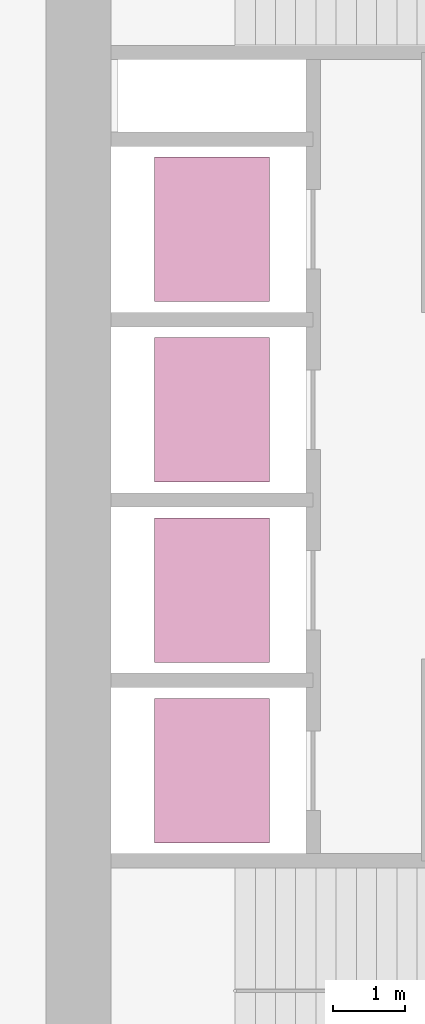
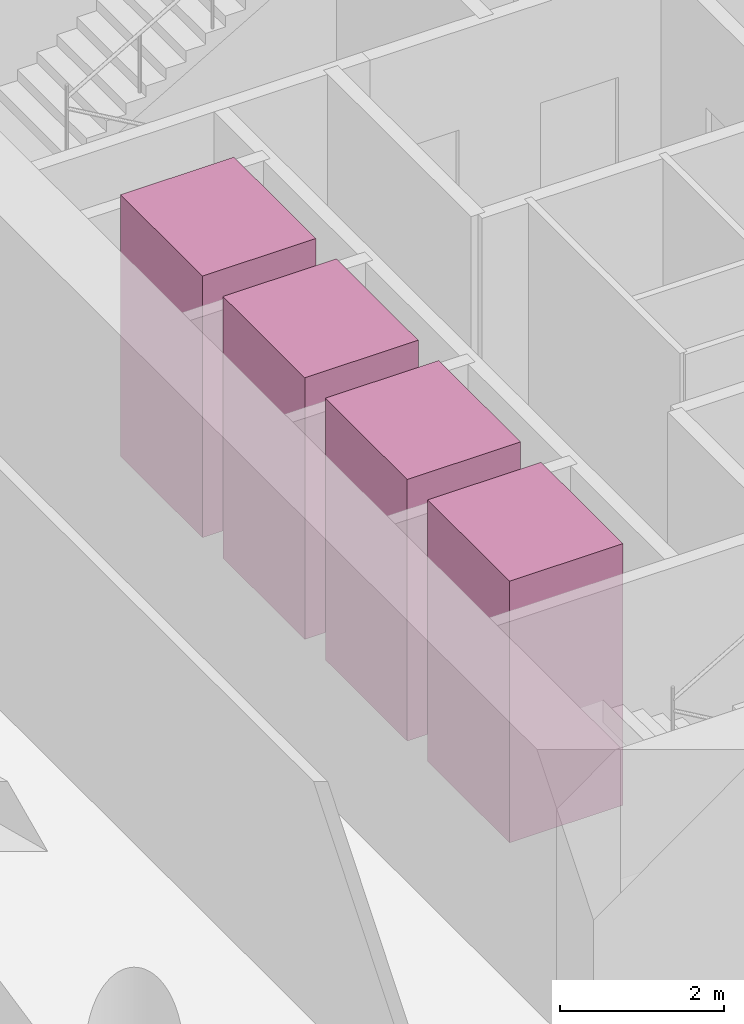
# One storey, part 11 of 11: 4 transport elements.
"""IFC4 building model written with IfcOpenShell, lengths in metres."""

from ifc_helpers import new_model, si_unit, direction, frame, origin, origin_2d, place, context, subcontext, project, spatial, rectangle, extrude, material, type_object, element, save


model = new_model("IFC4")

# Units and contexts
model_context = context("Model", 3, precision=1e-05, world=origin(), true_north=direction((0.0, 1.0)))
body_context = subcontext(model_context, "Body", "Model", "MODEL_VIEW")
ifc_project = project(units=[si_unit("LENGTHUNIT", "METRE"), si_unit("AREAUNIT", "SQUARE_METRE"), si_unit("VOLUMEUNIT", "CUBIC_METRE"), si_unit("PLANEANGLEUNIT", "RADIAN"), si_unit("MASSUNIT", "GRAM", prefix="KILO")], contexts=[model_context])

# Site, building, storey
site_placement = place(None, origin())
site = spatial("IfcSite", under=ifc_project, at=site_placement, CompositionType="ELEMENT")
building_placement = place(site_placement, origin())
building = spatial("IfcBuilding", under=site, at=building_placement, Name="Qaws Garden Tower", CompositionType="ELEMENT")
storey_placement = place(building_placement, frame((0.0, 0.0, 82.199951171875)))
storey = spatial("IfcBuildingStorey", under=building, at=storey_placement, Name="L20", CompositionType="ELEMENT", Elevation=82.199951171875)

# Transport elements
ifc_material = material(Name="Stainless steel 316", Category="steel")
transport_element_type = type_object("IfcTransportElementType", Name="Passenger lift car 2000x1600 1800 kg", PredefinedType="ELEVATOR", material=ifc_material)
for number, where, z_axis, x_axis, name in (
    (1, (10.300048828125, 13.64990234375, 0.0), (0.0, 0.0, 1.0), (1.0, 0.0, 0.0), "LR1"),
    (2, (10.300048828125, 16.14990234375, 0.0), (0.0, 0.0, 1.0), (1.0, 0.0, 0.0), "LR2"),
    (3, (10.300048828125, 18.64990234375, 0.0), (0.0, 0.0, 1.0), (1.0, 0.0, 0.0), "LR3"),
    (4, (10.300048828125, 21.14990234375, 0.0), (0.0, 0.0, 1.0), (1.0, 0.0, 0.0), "LR4"),
):
    element("IfcTransportElement", number, at=place(storey_placement, frame(where, z_axis=z_axis, x_axis=x_axis)), inside=storey, type_object=transport_element_type, Name=name, PredefinedType="ELEVATOR", context=body_context, shape_type="SweptSolid", body=[
        extrude(rectangle(XDim=1.60009765625, YDim=2.0, at=origin_2d()), origin(), (0.0, 0.0, 1.0), 3.89990234375),
    ])

save(model, "model.ifc")
